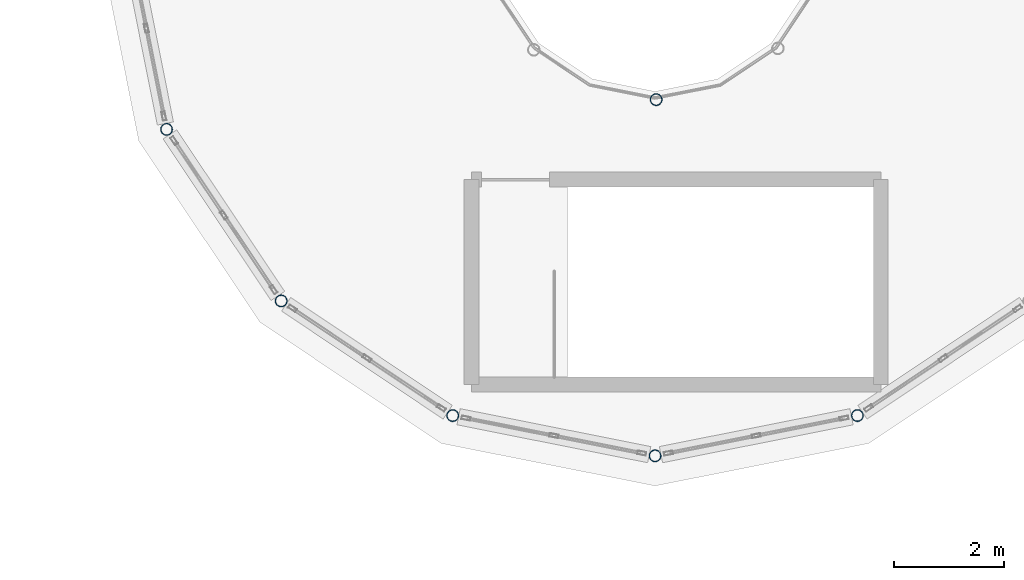
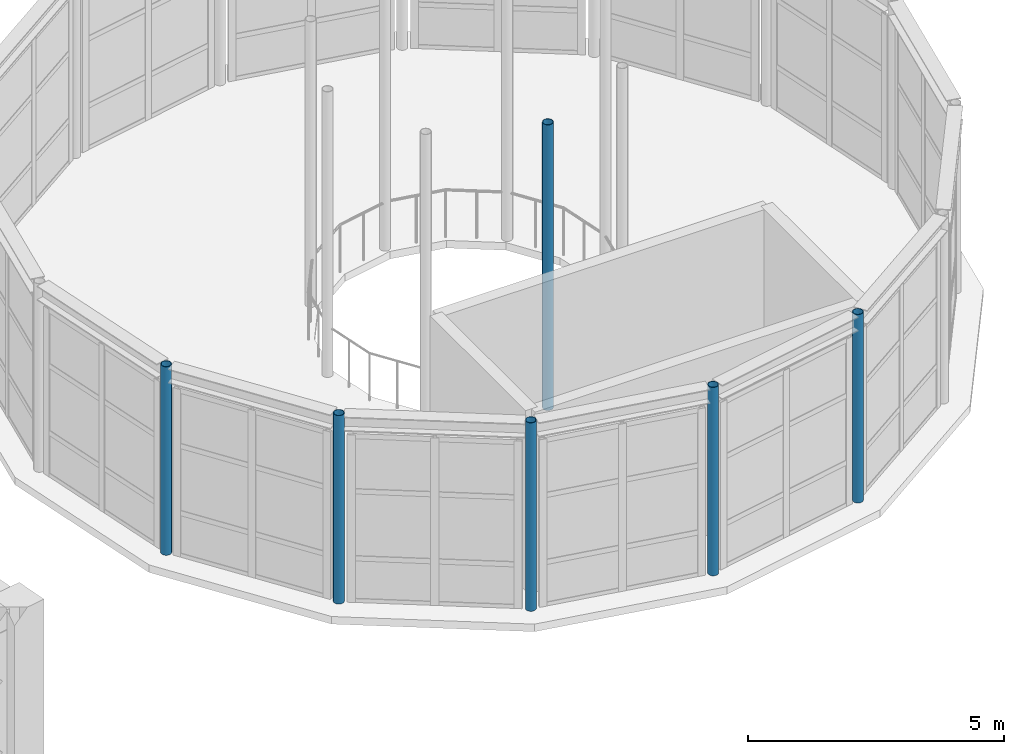
# One storey, part 2 of 80: 6 columns.
"""IFC4 building model written with IfcOpenShell, lengths in metres."""

from ifc_helpers import new_model, si_unit, direction, frame, origin, origin_2d, place, context, subcontext, project, spatial, hollow_circle, extrude, material, material_profile, profile_set, type_object, element, save


model = new_model("IFC4")

# Units and contexts
model_context = context("Model", 3, precision=1e-05, world=origin(), true_north=direction((0.0, 1.0)))
body_context = subcontext(model_context, "Body", "Model", "MODEL_VIEW")
ifc_project = project(units=[si_unit("LENGTHUNIT", "METRE"), si_unit("AREAUNIT", "SQUARE_METRE"), si_unit("VOLUMEUNIT", "CUBIC_METRE"), si_unit("PLANEANGLEUNIT", "RADIAN"), si_unit("MASSUNIT", "GRAM", prefix="KILO")], contexts=[model_context])

# Site, building, storey
site_placement = place(None, origin())
site = spatial("IfcSite", under=ifc_project, at=site_placement, CompositionType="ELEMENT")
building_placement = place(site_placement, origin())
building = spatial("IfcBuilding", under=site, at=building_placement, Name="Kharisveld Research Institute", CompositionType="ELEMENT")
storey_placement = place(building_placement, frame((0.0, 0.0, 5.10009765625)))
storey = spatial("IfcBuildingStorey", under=building, at=storey_placement, Name="L01", CompositionType="ELEMENT", Elevation=5.10009765625)

# Columns
ifc_material = material(Name="Steel S355J2H", Category="steel")
ifc_material_profile = material_profile(ifc_material, hollow_circle(Radius=0.109619140625, WallThickness=0.010009765625, at=origin_2d()))
ifc_profile_set = profile_set([ifc_material_profile], Name="Steel S355J2H")
column_type = type_object("IfcColumnType", Name="COL_ST_CHS219", PredefinedType="COLUMN", material=ifc_profile_set)
for number, where, z_axis, x_axis, name in (
    (1, (50.58447265625, 47.107177734375, 0.0), (0.0, 0.0, 1.0), (1.0, 0.0, 0.0), "COL:V6:L01:R09"),
    (2, (52.676513671875, 43.976318359375, 0.0), (0.0, 0.0, 1.0), (1.0, 0.0, 0.0), "COL:V6:L01:R10"),
    (3, (55.80712890625, 41.884521484375, 0.0), (0.0, 0.0, 1.0), (1.0, 0.0, 0.0), "COL:V6:L01:R11"),
    (4, (59.5, 41.14990234375, 0.0), (0.0, 0.0, 1.0), (1.0, 0.0, 0.0), "COL:V6:L01:R12"),
    (5, (63.19287109375, 41.884521484375, 0.0), (0.0, 0.0, 1.0), (1.0, 0.0, 0.0), "COL:V6:L01:R13"),
):
    element("IfcColumn", number, at=place(storey_placement, frame(where, z_axis=z_axis, x_axis=x_axis)), inside=storey, type_object=column_type, Name=name, PredefinedType="COLUMN", context=body_context, shape_type="SweptSolid", body=[
        extrude(hollow_circle(Radius=0.109619140625, WallThickness=0.010009765625, at=origin_2d()), origin(), (0.0, 0.0, 1.0), 4.5),
    ])
column_placement = place(storey_placement, frame((59.519287109375, 47.650146484375, 0.0), z_axis=(0.0, 0.0, 1.0), x_axis=(1.0, 0.0, 0.0)))
element("IfcColumn", 6, at=column_placement, inside=storey, type_object=column_type, Name="COL:V6:L01:OC12", PredefinedType="COLUMN", context=body_context, shape_type="SweptSolid", body=[
    extrude(hollow_circle(Radius=0.109619140625, WallThickness=0.010009765625, at=origin_2d()), origin(), (0.0, 0.0, 1.0), 6.81982421875),
])

save(model, "model.ifc")
